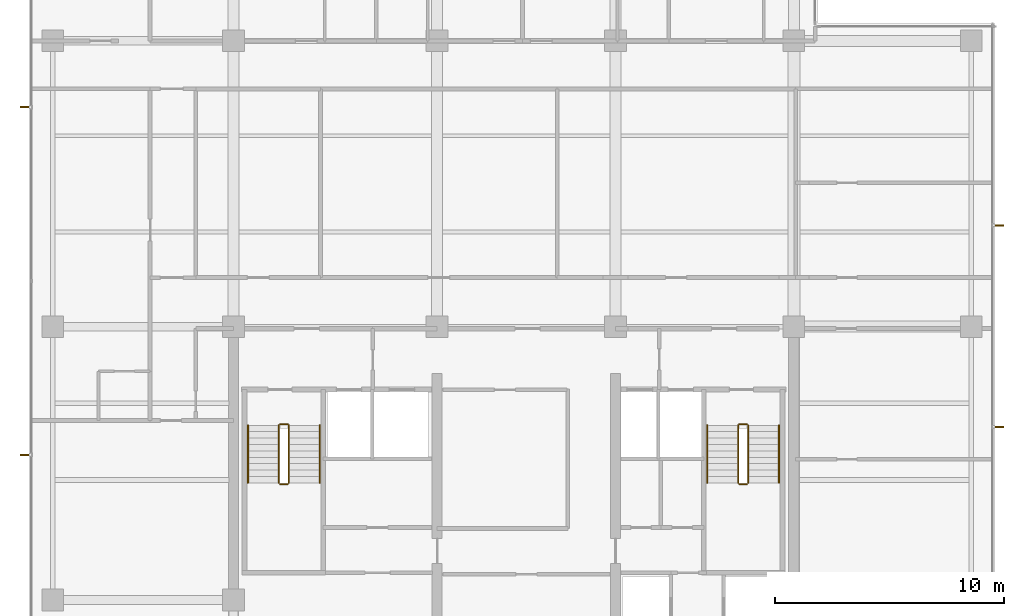
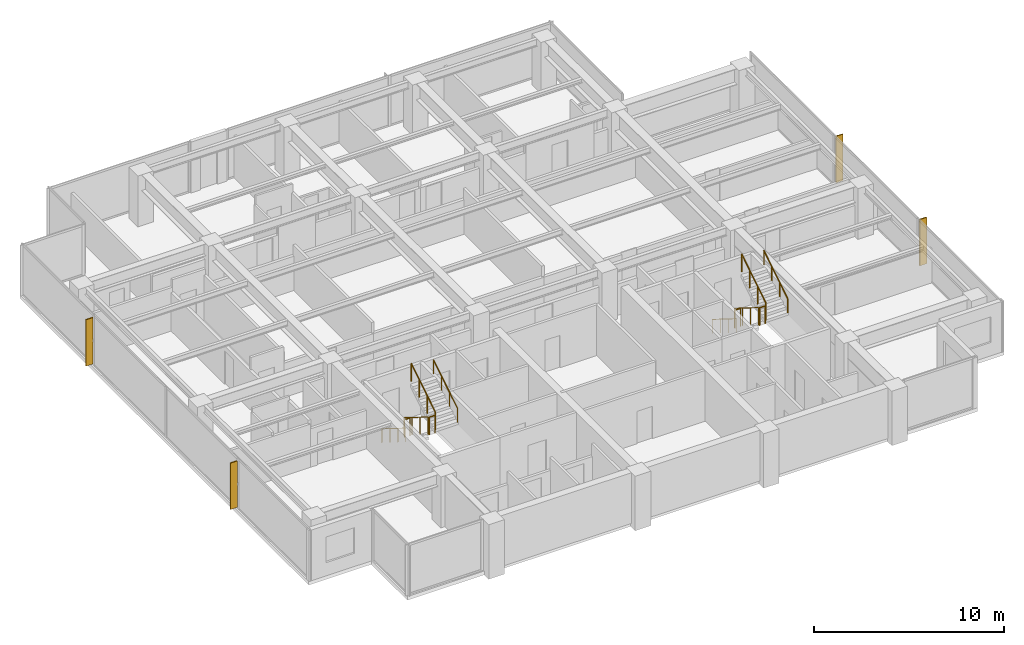
# One storey, part 13 of 14: 12 railings, 4 shading devices.
"""IFC4 building model written with IfcOpenShell, lengths in metres."""

from ifc_helpers import new_model, si_unit, direction, frame, origin, origin_2d, place, context, subcontext, project, spatial, polyline, circle, outline, extrude, material, layer, layer_set, type_object, element, save


model = new_model("IFC4")

# Units and contexts
model_context = context("Model", 3, precision=1e-05, world=origin(), true_north=direction((0.0, 1.0)))
body_context = subcontext(model_context, "Body", "Model", "MODEL_VIEW")
ifc_project = project(units=[si_unit("LENGTHUNIT", "METRE"), si_unit("AREAUNIT", "SQUARE_METRE"), si_unit("VOLUMEUNIT", "CUBIC_METRE"), si_unit("PLANEANGLEUNIT", "RADIAN"), si_unit("MASSUNIT", "GRAM", prefix="KILO")], contexts=[model_context])

# Site, building, storey
site_placement = place(None, origin())
site = spatial("IfcSite", under=ifc_project, at=site_placement, CompositionType="ELEMENT")
building_placement = place(site_placement, origin())
building = spatial("IfcBuilding", under=site, at=building_placement, Name="Qalmaran Belvedere Hotel", CompositionType="ELEMENT")
storey_placement = place(building_placement, frame((0.0, 0.0, 235.39990234375)))
storey = spatial("IfcBuildingStorey", under=building, at=storey_placement, Name="L60", CompositionType="ELEMENT", Elevation=235.39990234375)

# Shading devices
ifc_material_1 = material(Name="Anodised Bronze Aluminium", Category="aluminium")
ifc_layer = layer(ifc_material_1, 0.06494140625, Name="Anodised Bronze Aluminium")
ifc_layer_set = layer_set([ifc_layer], Name="Anodised Bronze Aluminium")
shading_device_type = type_object("IfcShadingDeviceType", Name="FIN-BRNZ-420", PredefinedType="USERDEFINED", material=ifc_layer_set)
shading_device_1_placement = place(storey_placement, frame((0.0, 0.0, 0.16015625)))
element("IfcShadingDevice", 1, at=shading_device_1_placement, inside=storey, type_object=shading_device_type, Name="L60 Bronze Fin 1", ObjectType="FIN", PredefinedType="USERDEFINED", context=body_context, shape_type="SweptSolid", body=[
    extrude(outline(polyline([(53.5673828125, 16.084228515625), (53.987548828125, 16.084228515625), (53.987548828125, 16.149169921875), (53.5673828125, 16.149169921875), (53.5673828125, 16.084228515625)])), origin(), (0.0, 0.0, 1.0), 2.97998046875),
])
shading_device_2_placement = place(storey_placement, frame((0.0, 0.0, 0.16015625)))
element("IfcShadingDevice", 2, at=shading_device_2_placement, inside=storey, type_object=shading_device_type, Name="L60 Bronze Fin 2", ObjectType="FIN", PredefinedType="USERDEFINED", context=body_context, shape_type="SweptSolid", body=[
    extrude(outline(polyline([(53.5673828125, 24.90087890625), (53.987548828125, 24.90087890625), (53.987548828125, 24.9658203125), (53.5673828125, 24.9658203125), (53.5673828125, 24.90087890625)])), origin(), (0.0, 0.0, 1.0), 2.97998046875),
])
shading_device_3_placement = place(storey_placement, frame((0.0, 0.0, 0.16015625)))
element("IfcShadingDevice", 3, at=shading_device_3_placement, inside=storey, type_object=shading_device_type, Name="L60 Bronze Fin 1", ObjectType="FIN", PredefinedType="USERDEFINED", context=body_context, shape_type="SweptSolid", body=[
    extrude(outline(polyline([(11.382568359375, 30.132568359375), (10.96240234375, 30.132568359375), (10.96240234375, 30.0673828125), (11.382568359375, 30.0673828125), (11.382568359375, 30.132568359375)])), origin(), (0.0, 0.0, 1.0), 2.97998046875),
])
shading_device_4_placement = place(storey_placement, frame((0.0, 0.0, 0.16015625)))
element("IfcShadingDevice", 4, at=shading_device_4_placement, inside=storey, type_object=shading_device_type, Name="L60 Bronze Fin 3", ObjectType="FIN", PredefinedType="USERDEFINED", context=body_context, shape_type="SweptSolid", body=[
    extrude(outline(polyline([(11.382568359375, 14.9326171875), (10.96240234375, 14.9326171875), (10.96240234375, 14.867431640625), (11.382568359375, 14.867431640625), (11.382568359375, 14.9326171875)])), origin(), (0.0, 0.0, 1.0), 2.97998046875),
])

# Railings
ifc_material_2 = material(Name="Stainless Steel 1.4401", Category="steel")
railing_type_1 = type_object("IfcRailingType", Name="RLG-STAIR-GUARD-1150", PredefinedType="GUARDRAIL", material=ifc_material_2)
railing_1_placement = place(storey_placement, frame((22.280029296875, 16.18994140625, 0.175048828125)))
element("IfcRailing", 5, at=railing_1_placement, inside=storey, type_object=railing_type_1, Name="L60 ST-1 stair guard 1", PredefinedType="GUARDRAIL", context=body_context, shape_type="SweptSolid", body=[
    extrude(circle(Radius=0.02392578125, at=origin_2d()), frame((0.0, 0.0, 1.1259765625), z_axis=(0.0, -0.848007534815, 0.529984170421), x_axis=(1.0, 0.0, 0.0)), (0.0, 0.0, 1.0), 2.9716796875),
    extrude(circle(Radius=0.02099609375, at=origin_2d()), origin(), (0.0, 0.0, 1.0), 1.101806640625),
    extrude(circle(Radius=0.02099609375, at=origin_2d()), frame((0.0, -0.840087890625, 0.52490234375)), (0.0, 0.0, 1.0), 1.101806640625),
    extrude(circle(Radius=0.02099609375, at=origin_2d()), frame((0.0, -1.679931640625, 1.050048828125)), (0.0, 0.0, 1.0), 1.101806640625),
    extrude(circle(Radius=0.02099609375, at=origin_2d()), frame((0.0, -2.52001953125, 1.574951171875)), (0.0, 0.0, 1.0), 1.101806640625),
])
railing_2_placement = place(storey_placement, frame((22.330078125, 13.6201171875, 1.75)))
element("IfcRailing", 6, at=railing_2_placement, inside=storey, type_object=railing_type_1, Name="L60 ST-1 stair guard 2", PredefinedType="GUARDRAIL", context=body_context, shape_type="SweptSolid", body=[
    extrude(circle(Radius=0.02392578125, at=origin_2d()), frame((0.0, 0.0, 1.1259765625), z_axis=(1.0, 0.0, 0.0), x_axis=(0.0, 1.0, 0.0)), (0.0, 0.0, 1.0), 0.33984375),
    extrude(circle(Radius=0.02099609375, at=origin_2d()), origin(), (0.0, 0.0, 1.0), 1.101806640625),
    extrude(circle(Radius=0.02099609375, at=origin_2d()), frame((0.33984375, 0.0, 0.0)), (0.0, 0.0, 1.0), 1.101806640625),
])
railing_3_placement = place(storey_placement, frame((22.719970703125, 13.669921875, 1.925048828125)))
element("IfcRailing", 7, at=railing_3_placement, inside=storey, type_object=railing_type_1, Name="L60 ST-1 stair guard 3", PredefinedType="GUARDRAIL", context=body_context, shape_type="SweptSolid", body=[
    extrude(circle(Radius=0.02392578125, at=origin_2d()), frame((0.0, 0.0, 1.1259765625), z_axis=(0.0, 0.848007534815, 0.529984170421), x_axis=(-1.0, 0.0, 0.0)), (0.0, 0.0, 1.0), 2.9716796875),
    extrude(circle(Radius=0.02099609375, at=origin_2d()), origin(), (0.0, 0.0, 1.0), 1.101806640625),
    extrude(circle(Radius=0.02099609375, at=origin_2d()), frame((0.0, 0.840087890625, 0.52490234375)), (0.0, 0.0, 1.0), 1.101806640625),
    extrude(circle(Radius=0.02099609375, at=origin_2d()), frame((0.0, 1.679931640625, 1.050048828125)), (0.0, 0.0, 1.0), 1.101806640625),
    extrude(circle(Radius=0.02099609375, at=origin_2d()), frame((0.0, 2.52001953125, 1.574951171875)), (0.0, 0.0, 1.0), 1.101806640625),
])
railing_4_placement = place(storey_placement, frame((22.330078125, 16.239990234375, 0.0)))
element("IfcRailing", 8, at=railing_4_placement, inside=storey, type_object=railing_type_1, Name="L60 ST-1 stair guard 4", PredefinedType="GUARDRAIL", context=body_context, shape_type="SweptSolid", body=[
    extrude(circle(Radius=0.02392578125, at=origin_2d()), frame((0.0, 0.0, 1.1259765625), z_axis=(1.0, 0.0, 0.0), x_axis=(0.0, 1.0, 0.0)), (0.0, 0.0, 1.0), 0.33984375),
    extrude(circle(Radius=0.02099609375, at=origin_2d()), origin(), (0.0, 0.0, 1.0), 1.101806640625),
    extrude(circle(Radius=0.02099609375, at=origin_2d()), frame((0.33984375, 0.0, 0.0)), (0.0, 0.0, 1.0), 1.101806640625),
])
railing_5_placement = place(storey_placement, frame((42.360107421875, 16.18994140625, 0.175048828125)))
element("IfcRailing", 9, at=railing_5_placement, inside=storey, type_object=railing_type_1, Name="L60 ST-2 stair guard 1", PredefinedType="GUARDRAIL", context=body_context, shape_type="SweptSolid", body=[
    extrude(circle(Radius=0.02392578125, at=origin_2d()), frame((0.0, 0.0, 1.1259765625), z_axis=(0.0, -0.848007534815, 0.529984170421), x_axis=(1.0, 0.0, 0.0)), (0.0, 0.0, 1.0), 2.9716796875),
    extrude(circle(Radius=0.02099609375, at=origin_2d()), origin(), (0.0, 0.0, 1.0), 1.101806640625),
    extrude(circle(Radius=0.02099609375, at=origin_2d()), frame((0.0, -0.840087890625, 0.52490234375)), (0.0, 0.0, 1.0), 1.101806640625),
    extrude(circle(Radius=0.02099609375, at=origin_2d()), frame((0.0, -1.679931640625, 1.050048828125)), (0.0, 0.0, 1.0), 1.101806640625),
    extrude(circle(Radius=0.02099609375, at=origin_2d()), frame((0.0, -2.52001953125, 1.574951171875)), (0.0, 0.0, 1.0), 1.101806640625),
])
railing_6_placement = place(storey_placement, frame((42.409912109375, 13.6201171875, 1.75)))
element("IfcRailing", 10, at=railing_6_placement, inside=storey, type_object=railing_type_1, Name="L60 ST-2 stair guard 2", PredefinedType="GUARDRAIL", context=body_context, shape_type="SweptSolid", body=[
    extrude(circle(Radius=0.02392578125, at=origin_2d()), frame((0.0, 0.0, 1.1259765625), z_axis=(1.0, 0.0, 0.0), x_axis=(0.0, 1.0, 0.0)), (0.0, 0.0, 1.0), 0.340087890625),
    extrude(circle(Radius=0.02099609375, at=origin_2d()), origin(), (0.0, 0.0, 1.0), 1.101806640625),
    extrude(circle(Radius=0.02099609375, at=origin_2d()), frame((0.340087890625, 0.0, 0.0)), (0.0, 0.0, 1.0), 1.101806640625),
])
railing_7_placement = place(storey_placement, frame((42.800048828125, 13.669921875, 1.925048828125)))
element("IfcRailing", 11, at=railing_7_placement, inside=storey, type_object=railing_type_1, Name="L60 ST-2 stair guard 3", PredefinedType="GUARDRAIL", context=body_context, shape_type="SweptSolid", body=[
    extrude(circle(Radius=0.02392578125, at=origin_2d()), frame((0.0, 0.0, 1.1259765625), z_axis=(0.0, 0.848007534815, 0.529984170421), x_axis=(-1.0, 0.0, 0.0)), (0.0, 0.0, 1.0), 2.9716796875),
    extrude(circle(Radius=0.02099609375, at=origin_2d()), origin(), (0.0, 0.0, 1.0), 1.101806640625),
    extrude(circle(Radius=0.02099609375, at=origin_2d()), frame((0.0, 0.840087890625, 0.52490234375)), (0.0, 0.0, 1.0), 1.101806640625),
    extrude(circle(Radius=0.02099609375, at=origin_2d()), frame((0.0, 1.679931640625, 1.050048828125)), (0.0, 0.0, 1.0), 1.101806640625),
    extrude(circle(Radius=0.02099609375, at=origin_2d()), frame((0.0, 2.52001953125, 1.574951171875)), (0.0, 0.0, 1.0), 1.101806640625),
])
railing_8_placement = place(storey_placement, frame((42.409912109375, 16.239990234375, 0.0)))
element("IfcRailing", 12, at=railing_8_placement, inside=storey, type_object=railing_type_1, Name="L60 ST-2 stair guard 4", PredefinedType="GUARDRAIL", context=body_context, shape_type="SweptSolid", body=[
    extrude(circle(Radius=0.02392578125, at=origin_2d()), frame((0.0, 0.0, 1.1259765625), z_axis=(1.0, 0.0, 0.0), x_axis=(0.0, 1.0, 0.0)), (0.0, 0.0, 1.0), 0.340087890625),
    extrude(circle(Radius=0.02099609375, at=origin_2d()), origin(), (0.0, 0.0, 1.0), 1.101806640625),
    extrude(circle(Radius=0.02099609375, at=origin_2d()), frame((0.340087890625, 0.0, 0.0)), (0.0, 0.0, 1.0), 1.101806640625),
])
railing_type_2 = type_object("IfcRailingType", Name="RLG-STAIR-HAND-910", PredefinedType="HANDRAIL", material=ifc_material_2)
railing_9_placement = place(storey_placement, frame((20.929931640625, 16.18994140625, 0.175048828125)))
element("IfcRailing", 13, at=railing_9_placement, inside=storey, type_object=railing_type_2, Name="L60 ST-1 stair handrail 1", PredefinedType="HANDRAIL", context=body_context, shape_type="SweptSolid", body=[
    extrude(circle(Radius=0.02392578125, at=origin_2d()), frame((0.0, 0.0, 0.8857421875), z_axis=(0.0, -0.848007534815, 0.529984170421), x_axis=(1.0, 0.0, 0.0)), (0.0, 0.0, 1.0), 2.9716796875),
    extrude(circle(Radius=0.02099609375, at=origin_2d()), origin(), (0.0, 0.0, 1.0), 0.86181640625),
    extrude(circle(Radius=0.02099609375, at=origin_2d()), frame((0.0, -0.840087890625, 0.52490234375)), (0.0, 0.0, 1.0), 0.86181640625),
    extrude(circle(Radius=0.02099609375, at=origin_2d()), frame((0.0, -1.679931640625, 1.050048828125)), (0.0, 0.0, 1.0), 0.86181640625),
    extrude(circle(Radius=0.02099609375, at=origin_2d()), frame((0.0, -2.52001953125, 1.574951171875)), (0.0, 0.0, 1.0), 0.86181640625),
])
railing_10_placement = place(storey_placement, frame((24.070068359375, 13.669921875, 1.925048828125)))
element("IfcRailing", 14, at=railing_10_placement, inside=storey, type_object=railing_type_2, Name="L60 ST-1 stair handrail 2", PredefinedType="HANDRAIL", context=body_context, shape_type="SweptSolid", body=[
    extrude(circle(Radius=0.02392578125, at=origin_2d()), frame((0.0, 0.0, 0.8857421875), z_axis=(0.0, 0.848007534815, 0.529984170421), x_axis=(-1.0, 0.0, 0.0)), (0.0, 0.0, 1.0), 2.9716796875),
    extrude(circle(Radius=0.02099609375, at=origin_2d()), origin(), (0.0, 0.0, 1.0), 0.86181640625),
    extrude(circle(Radius=0.02099609375, at=origin_2d()), frame((0.0, 0.840087890625, 0.52490234375)), (0.0, 0.0, 1.0), 0.86181640625),
    extrude(circle(Radius=0.02099609375, at=origin_2d()), frame((0.0, 1.679931640625, 1.050048828125)), (0.0, 0.0, 1.0), 0.86181640625),
    extrude(circle(Radius=0.02099609375, at=origin_2d()), frame((0.0, 2.52001953125, 1.574951171875)), (0.0, 0.0, 1.0), 0.86181640625),
])
railing_11_placement = place(storey_placement, frame((41.010009765625, 16.18994140625, 0.175048828125)))
element("IfcRailing", 15, at=railing_11_placement, inside=storey, type_object=railing_type_2, Name="L60 ST-2 stair handrail 1", PredefinedType="HANDRAIL", context=body_context, shape_type="SweptSolid", body=[
    extrude(circle(Radius=0.02392578125, at=origin_2d()), frame((0.0, 0.0, 0.8857421875), z_axis=(0.0, -0.848007534815, 0.529984170421), x_axis=(1.0, 0.0, 0.0)), (0.0, 0.0, 1.0), 2.9716796875),
    extrude(circle(Radius=0.02099609375, at=origin_2d()), origin(), (0.0, 0.0, 1.0), 0.86181640625),
    extrude(circle(Radius=0.02099609375, at=origin_2d()), frame((0.0, -0.840087890625, 0.52490234375)), (0.0, 0.0, 1.0), 0.86181640625),
    extrude(circle(Radius=0.02099609375, at=origin_2d()), frame((0.0, -1.679931640625, 1.050048828125)), (0.0, 0.0, 1.0), 0.86181640625),
    extrude(circle(Radius=0.02099609375, at=origin_2d()), frame((0.0, -2.52001953125, 1.574951171875)), (0.0, 0.0, 1.0), 0.86181640625),
])
railing_12_placement = place(storey_placement, frame((44.14990234375, 13.669921875, 1.925048828125)))
element("IfcRailing", 16, at=railing_12_placement, inside=storey, type_object=railing_type_2, Name="L60 ST-2 stair handrail 2", PredefinedType="HANDRAIL", context=body_context, shape_type="SweptSolid", body=[
    extrude(circle(Radius=0.02392578125, at=origin_2d()), frame((0.0, 0.0, 0.8857421875), z_axis=(0.0, 0.848007534815, 0.529984170421), x_axis=(-1.0, 0.0, 0.0)), (0.0, 0.0, 1.0), 2.9716796875),
    extrude(circle(Radius=0.02099609375, at=origin_2d()), origin(), (0.0, 0.0, 1.0), 0.86181640625),
    extrude(circle(Radius=0.02099609375, at=origin_2d()), frame((0.0, 0.840087890625, 0.52490234375)), (0.0, 0.0, 1.0), 0.86181640625),
    extrude(circle(Radius=0.02099609375, at=origin_2d()), frame((0.0, 1.679931640625, 1.050048828125)), (0.0, 0.0, 1.0), 0.86181640625),
    extrude(circle(Radius=0.02099609375, at=origin_2d()), frame((0.0, 2.52001953125, 1.574951171875)), (0.0, 0.0, 1.0), 0.86181640625),
])

save(model, "model.ifc")
